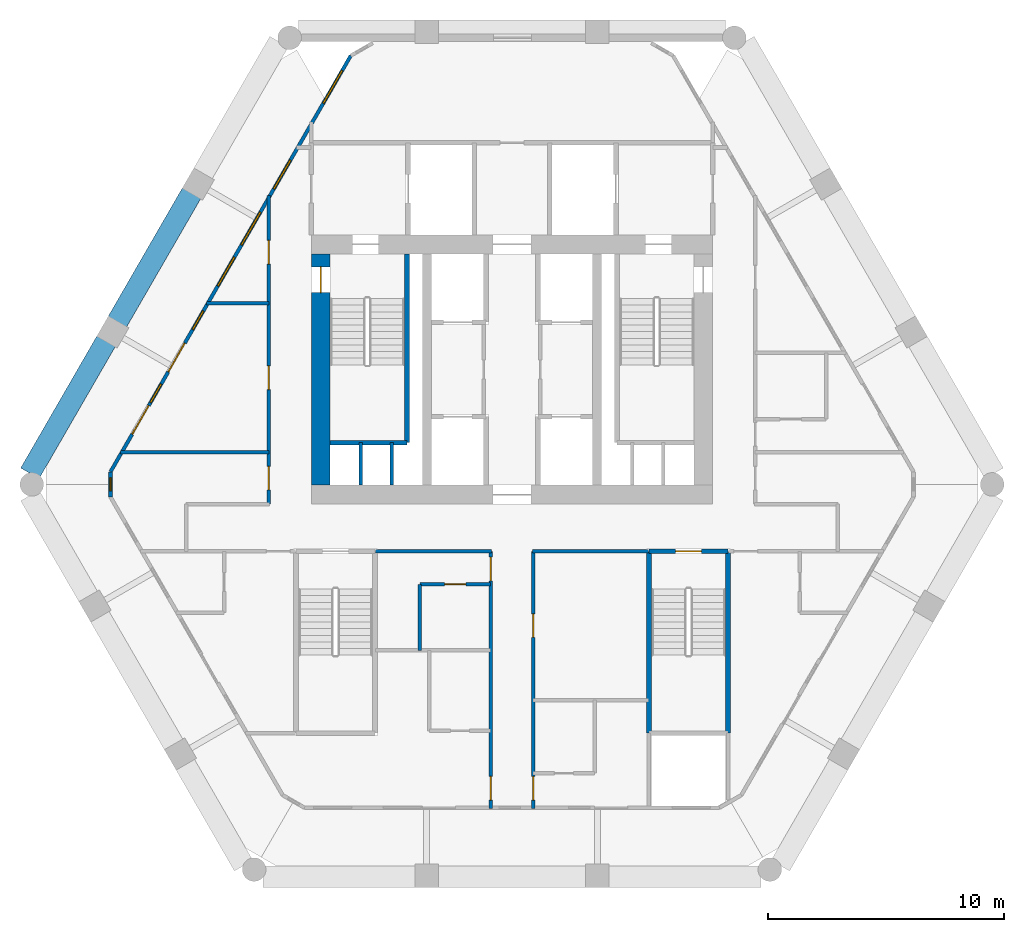
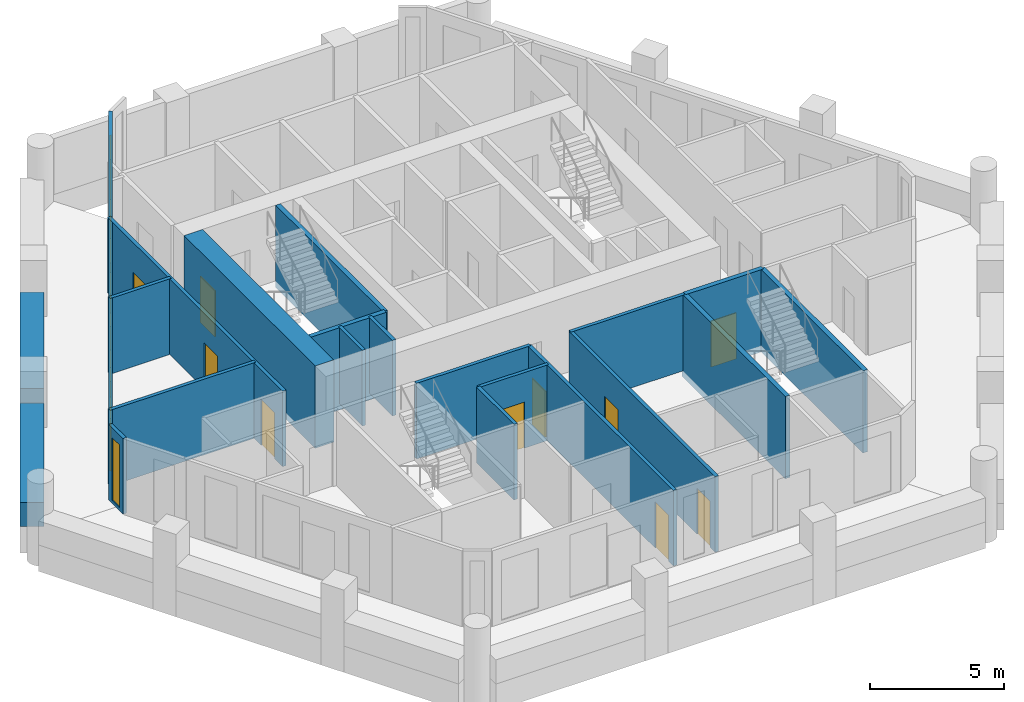
# One storey, part 3 of 7: 21 walls, 12 doors, 7 windows, 19 openings.
"""IFC4 building model written with IfcOpenShell, lengths in metres."""

import ifcopenshell
import ifcopenshell.guid

model = None  # the IFC model being written
_history = None  # IfcOwnerHistory: only IFC2X3 demands one
_inside = {}  # id of a spatial element -> (the spatial element, [elements in it])
_under = {}  # id of a project, library or spatial element -> (it, [spatial elements below it])
_declared = {}  # id of a project -> (the project, [libraries it declares])
_typed = {}  # id of a type object -> (the type object, [elements of that type])
_made_of = {}  # id of a material, layer set ... -> (it, [elements and type objects made of it])


def new_model(schema):
    """Start an empty IFC model of exactly this schema.

    Asked for "IFC4X3", IfcOpenShell would pick the latest addendum, in which some entities
    have other attributes; the version numbers below select the first issue.
    IFC2X3 requires an IfcOwnerHistory on every rooted entity: one is made here for all.
    """
    global model, _history
    if schema == "IFC4X3":
        model = ifcopenshell.file(schema_version=(4, 3, 0, 0))
    else:
        model = ifcopenshell.file(schema=schema)
    _inside.clear()
    _under.clear()
    _declared.clear()
    _typed.clear()
    _made_of.clear()
    _history = None
    if model.schema == "IFC2X3":
        org = make("IfcOrganization", Name="unknown")
        user = make(
            "IfcPersonAndOrganization",
            ThePerson=make("IfcPerson", FamilyName="unknown"),
            TheOrganization=org,
        )
        app = make(
            "IfcApplication",
            ApplicationDeveloper=org,
            Version="unknown",
            ApplicationFullName="unknown",
            ApplicationIdentifier="unknown",
        )
        _history = make(
            "IfcOwnerHistory",
            OwningUser=user,
            OwningApplication=app,
            ChangeAction="ADDED",
            CreationDate=0,
        )
    return model


def make(cls, **values):
    """One entity of the class cls with the attributes given. An attribute that is None is left unset."""
    return model.create_entity(
        cls, **{name: value for name, value in values.items() if value is not None}
    )


def rooted(cls, **values):
    """An entity with a GlobalId (a new one), such as an element, a storey or a relation."""
    return make(cls, GlobalId=ifcopenshell.guid.new(), OwnerHistory=_history, **values)


def si_unit(unit_type, name, prefix=None):
    """IfcSIUnit, for example si_unit("LENGTHUNIT", "METRE", prefix="MILLI")."""
    return make("IfcSIUnit", UnitType=unit_type, Prefix=prefix, Name=name)


def assignment(units):
    """IfcUnitAssignment: the units of a project."""
    return None if units is None else make("IfcUnitAssignment", Units=units)


def point(xyz):
    """IfcCartesianPoint."""
    return None if xyz is None else make("IfcCartesianPoint", Coordinates=xyz)


def direction(xyz):
    """IfcDirection."""
    return None if xyz is None else make("IfcDirection", DirectionRatios=xyz)


def frame(location, z_axis=None, x_axis=None):
    """IfcAxis2Placement3D, a coordinate frame: its origin and axes. An axis left out is left unset."""
    return make(
        "IfcAxis2Placement3D",
        Location=point(location),
        Axis=direction(z_axis),
        RefDirection=direction(x_axis),
    )


def frame_2d(location, x_axis=None):
    """IfcAxis2Placement2D, a coordinate frame in the plane: its origin and x axis."""
    return make(
        "IfcAxis2Placement2D", Location=point(location), RefDirection=direction(x_axis)
    )


def origin():
    """The frame at (0, 0, 0) with its axes left unset."""
    return frame((0.0, 0.0, 0.0))


def place(relative_to, where):
    """IfcLocalPlacement: puts the frame where relative to a parent placement (None: the world)."""
    return make(
        "IfcLocalPlacement", PlacementRelTo=relative_to, RelativePlacement=where
    )


def context(
    kind, dimensions, precision=None, world=None, true_north=None, identifier=None
):
    """IfcGeometricRepresentationContext, for example the 3D "Model" context."""
    return make(
        "IfcGeometricRepresentationContext",
        ContextIdentifier=identifier,
        ContextType=kind,
        CoordinateSpaceDimension=dimensions,
        Precision=precision,
        WorldCoordinateSystem=world,
        TrueNorth=true_north,
    )


def subcontext(parent, identifier, kind, view, scale=None):
    """IfcGeometricRepresentationSubContext, for example "Body" below "Model"."""
    return make(
        "IfcGeometricRepresentationSubContext",
        ContextIdentifier=identifier,
        ContextType=kind,
        ParentContext=parent,
        TargetScale=scale,
        TargetView=view,
    )


def project(units=None, contexts=None):
    """IfcProject with its units and contexts."""
    return rooted(
        "IfcProject",
        Name="project",
        RepresentationContexts=contexts,
        UnitsInContext=assignment(units),
    )


def spatial(cls, under=None, at=None, **own):
    """A site, building, storey or space (cls), placed at a placement, below another one or the project."""
    s = rooted(cls, ObjectPlacement=at, **own)
    if under is not None:
        _under.setdefault(under.id(), (under, []))[1].append(s)
    return s


def profile(cls, at=None, kind="AREA", **sizes):
    """A parametric profile (cls). Its sizes go by their IFC names, for example OverallWidth=200.0."""
    return make(cls, ProfileType=kind, Position=at, **sizes)


def rectangle(**sizes):
    """IfcRectangleProfileDef."""
    return profile("IfcRectangleProfileDef", **sizes)


def extrude(swept, where, along, depth):
    """IfcExtrudedAreaSolid: the profile swept, set in the frame where, extruded along a direction by depth."""
    return make(
        "IfcExtrudedAreaSolid",
        SweptArea=swept,
        Position=where,
        ExtrudedDirection=direction(along),
        Depth=depth,
    )


def shape(context_of_items, identifier, shape_type, items):
    """IfcShapeRepresentation: the items that make up one representation, for example the "Body"."""
    return make(
        "IfcShapeRepresentation",
        ContextOfItems=context_of_items,
        RepresentationIdentifier=identifier,
        RepresentationType=shape_type,
        Items=items,
    )


def material(Name=None, Category=None):
    """IfcMaterial."""
    return make("IfcMaterial", Name=Name, Category=Category)


def layer(
    of_material, thickness, ventilated=None, Name=None, Category=None, Priority=None
):
    """IfcMaterialLayer: one layer of a wall or slab, of a material (None: an air gap)."""
    return make(
        "IfcMaterialLayer",
        Material=of_material,
        LayerThickness=thickness,
        IsVentilated=ventilated,
        Name=Name,
        Category=Category,
        Priority=Priority,
    )


def layer_set(layers, Name=None):
    """IfcMaterialLayerSet."""
    return make("IfcMaterialLayerSet", MaterialLayers=layers, LayerSetName=Name)


def made_of(thing, what):
    """Note that an element or type object is made of a material, layer set ...; save() writes the relation."""
    if what is not None:
        _made_of.setdefault(what.id(), (what, []))[1].append(thing)
    return thing


def type_object(cls, material=None, **own):
    """A type object (cls), such as IfcWallType, which elements share."""
    return made_of(rooted(cls, **own), material)


def element(
    cls,
    number,
    at=None,
    inside=None,
    cuts=None,
    type_object=None,
    material=None,
    context=None,
    identifier="Body",
    shape_type=None,
    held_by="IfcProductDefinitionShape",
    body=None,
    shapes=None,
    **own,
):
    """One element of the class cls, such as IfcWall. Its Tag is "e" and its number.

    at: its placement. inside: the storey or other place that contains it. cuts: it is an
    opening in that element (IfcRelVoidsElement). A single representation is given by context,
    identifier, shape_type and body (its items); several are given by shapes. held_by: the class
    of the entity that holds the representations. save() writes the other relations.
    """
    e = rooted(cls, Tag="e%d" % number, ObjectPlacement=at, **own)
    if body is not None:
        shapes = [shape(context, identifier, shape_type, body)]
    if shapes is not None:
        e.Representation = make(held_by, Representations=shapes)
    if inside is not None:
        _inside.setdefault(inside.id(), (inside, []))[1].append(e)
    if cuts is not None:
        rooted(
            "IfcRelVoidsElement", RelatingBuildingElement=cuts, RelatedOpeningElement=e
        )
    if type_object is not None:
        _typed.setdefault(type_object.id(), (type_object, []))[1].append(e)
    return made_of(e, material)


def fill(opening, filler):
    """IfcRelFillsElement: the door or window that sits in an opening."""
    return rooted(
        "IfcRelFillsElement",
        RelatingOpeningElement=opening,
        RelatedBuildingElement=filler,
    )


def aggregate(whole, parts):
    """IfcRelAggregates: a whole, such as a stair, and the parts it consists of."""
    return rooted("IfcRelAggregates", RelatingObject=whole, RelatedObjects=parts)


def save(model, path):
    """Write the relations noted so far, then the file.

    IfcRelAggregates (storeys below a building ...), IfcRelContainedInSpatialStructure (elements
    in a storey), IfcRelDefinesByType, IfcRelAssociatesMaterial and IfcRelDeclares: one each for
    every whole, place, type object, material and project.
    """
    for whole, parts in _under.values():
        aggregate(whole, parts)
    for where, things in _inside.values():
        rooted(
            "IfcRelContainedInSpatialStructure",
            RelatedElements=things,
            RelatingStructure=where,
        )
    for kind, things in _typed.values():
        rooted("IfcRelDefinesByType", RelatedObjects=things, RelatingType=kind)
    for what, things in _made_of.values():
        rooted("IfcRelAssociatesMaterial", RelatedObjects=things, RelatingMaterial=what)
    for by, libraries in _declared.values():
        rooted("IfcRelDeclares", RelatingContext=by, RelatedDefinitions=libraries)
    model.write(path)


model = new_model("IFC4")

# Units and contexts
model_context = context("Model", 3, precision=1e-05, world=origin(), true_north=direction((0.0, 1.0)))
body_context = subcontext(model_context, "Body", "Model", "MODEL_VIEW")
ifc_project = project(units=[si_unit("LENGTHUNIT", "METRE"), si_unit("AREAUNIT", "SQUARE_METRE"), si_unit("VOLUMEUNIT", "CUBIC_METRE"), si_unit("PLANEANGLEUNIT", "RADIAN"), si_unit("MASSUNIT", "GRAM", prefix="KILO")], contexts=[model_context])

# Site, building, storey
site_placement = place(None, origin())
site = spatial("IfcSite", under=ifc_project, at=site_placement, CompositionType="ELEMENT")
building_placement = place(site_placement, origin())
building = spatial("IfcBuilding", under=site, at=building_placement, Name="Ostrander Bayou Hotel Tower", CompositionType="ELEMENT")
storey_placement = place(building_placement, frame((0.0, 0.0, 190.75)))
storey = spatial("IfcBuildingStorey", under=building, at=storey_placement, Name="L47", CompositionType="ELEMENT", Elevation=190.75)

# Wall, opening, door
ifc_material_1 = material(Name="Concrete f'c 60 MPa", Category="concrete")
ifc_layer_1 = layer(ifc_material_1, 0.800048828125)
ifc_layer_set_1 = layer_set([ifc_layer_1], Name="CW8 core spine wall 800 mm f'c 60 MPa")
wall_type_1 = type_object("IfcWallType", Name="CW8 core spine wall 800 mm f'c 60 MPa", PredefinedType="SHEAR", material=ifc_layer_set_1)
wall_1_placement = place(storey_placement, frame((-8.10009765625, -0.89990234375, -0.300048828125), z_axis=(0.0, 0.0, 1.0), x_axis=(0.0, 1.0, 0.0)))
wall_1 = element("IfcWall", 1, at=wall_1_placement, inside=storey, type_object=wall_type_1, Name="CW8 L47 W", PredefinedType="SHEAR", context=body_context, shape_type="SweptSolid", body=[
    extrude(rectangle(XDim=9.7998046875, YDim=0.800048828125, at=frame_2d((4.89990234375, 0.0))), origin(), (0.0, 0.0, 1.0), 3.75),
])
opening_1_placement = place(wall_1_placement, frame((8.14990234375, 0.0, 0.0)))
opening_1 = element("IfcOpeningElement", 2, at=opening_1_placement, cuts=wall_1, Name="Opening T47-008", PredefinedType="OPENING", context=body_context, shape_type="SweptSolid", body=[
    extrude(rectangle(XDim=1.10009765625, YDim=2.10009765625, at=frame_2d((0.550048828125, 1.050048828125))), frame((0.0, 0.39990234375, 0.0), z_axis=(0.0, -1.0, 0.0), x_axis=(1.0, 0.0, 0.0)), (0.0, 0.0, 1.0), 0.800048828125),
])
ifc_material_2 = material(Name="Timber door leaf", Category="wood")
door_type_1 = type_object("IfcDoorType", Name="D5 stair door 1100 x 2100 mm, 90 minute", OperationType="SINGLE_SWING_LEFT", PredefinedType="DOOR", material=ifc_material_2)
door_1_placement = place(opening_1_placement, origin())
door_1 = element("IfcDoor", 3, at=door_1_placement, inside=storey, type_object=door_type_1, Name="dr:L47:008", OperationType="SINGLE_SWING_RIGHT", OverallHeight=2.10009765625, OverallWidth=1.10009765625, PredefinedType="DOOR", context=body_context, shape_type="SweptSolid", body=[
    extrude(rectangle(XDim=1.10009765625, YDim=2.10009765625, at=frame_2d((0.550048828125, 1.050048828125))), frame((0.0, 0.02490234375, 0.0), z_axis=(0.0, -1.0, 0.0), x_axis=(1.0, 0.0, 0.0)), (0.0, 0.0, 1.0), 0.050048828125),
])
fill(opening_1, door_1)

# Wall, openings, doors, windows
ifc_material_3 = material(Name="Aluminium framed insulated wall", Category="aluminium")
ifc_layer_2 = layer(ifc_material_3, 0.14990234375)
ifc_layer_set_2 = layer_set([ifc_layer_2], Name="GW1 glass-line wall 150 mm")
wall_type_2 = type_object("IfcWallType", Name="GW1 glass-line wall 150 mm", PredefinedType="SOLIDWALL", material=ifc_layer_set_2)
wall_2_placement = place(storey_placement, frame((-6.825927734375, 17.29248046875, 0.0), z_axis=(0.0, 0.0, 1.0), x_axis=(-0.50000659594, -0.866021595583, 0.0)))
wall_2 = element("IfcWall", 4, at=wall_2_placement, inside=storey, type_object=wall_type_2, Name="GW1 L47 NW 1", PredefinedType="SOLIDWALL", context=body_context, shape_type="SweptSolid", body=[
    extrude(rectangle(XDim=20.354248046875, YDim=0.14990234375, at=frame_2d((10.17724609375, 0.0))), origin(), (0.0, 0.0, 1.0), 3.449951171875),
])
opening_2_placement = place(wall_2_placement, frame((5.120361328125, 0.0, 0.14990234375)))
opening_2 = element("IfcOpeningElement", 5, at=opening_2_placement, cuts=wall_2, Name="Opening W13", PredefinedType="OPENING", context=body_context, shape_type="SweptSolid", body=[
    extrude(rectangle(XDim=1.39990234375, YDim=2.85009765625, at=frame_2d((0.699951171875, 1.425048828125))), frame((0.0, 0.074951171875, 0.0), z_axis=(0.0, -1.0, 0.0), x_axis=(1.0, 0.0, 0.0)), (0.0, 0.0, 1.0), 0.14990234375),
])
opening_3_placement = place(wall_2_placement, frame((7.662841796875, 0.0, 0.14990234375)))
opening_3 = element("IfcOpeningElement", 6, at=opening_3_placement, cuts=wall_2, Name="Opening W3", PredefinedType="OPENING", context=body_context, shape_type="SweptSolid", body=[
    extrude(rectangle(XDim=1.60009765625, YDim=2.85009765625, at=frame_2d((0.800048828125, 1.425048828125))), frame((0.0, 0.074951171875, 0.0), z_axis=(0.0, -1.0, 0.0), x_axis=(1.0, 0.0, 0.0)), (0.0, 0.0, 1.0), 0.14990234375),
])
opening_4_placement = place(wall_2_placement, frame((9.86279296875, 0.0, 0.14990234375)))
opening_4 = element("IfcOpeningElement", 7, at=opening_4_placement, cuts=wall_2, Name="Opening W13", PredefinedType="OPENING", context=body_context, shape_type="SweptSolid", body=[
    extrude(rectangle(XDim=1.39990234375, YDim=2.85009765625, at=frame_2d((0.699951171875, 1.425048828125))), frame((0.0, 0.074951171875, 0.0), z_axis=(0.0, -1.0, 0.0), x_axis=(1.0, 0.0, 0.0)), (0.0, 0.0, 1.0), 0.14990234375),
])
opening_5_placement = place(wall_2_placement, frame((12.49169921875, 0.0, 0.14990234375)))
opening_5 = element("IfcOpeningElement", 8, at=opening_5_placement, cuts=wall_2, Name="Opening W17", PredefinedType="OPENING", context=body_context, shape_type="SweptSolid", body=[
    extrude(rectangle(XDim=0.89990234375, YDim=2.85009765625, at=frame_2d((0.449951171875, 1.425048828125))), frame((0.0, 0.074951171875, 0.0), z_axis=(0.0, -1.0, 0.0), x_axis=(1.0, 0.0, 0.0)), (0.0, 0.0, 1.0), 0.14990234375),
])
opening_6_placement = place(wall_2_placement, frame((14.062744140625, 0.0, 0.0)))
opening_6 = element("IfcOpeningElement", 9, at=opening_6_placement, cuts=wall_2, Name="Opening T47-800", PredefinedType="OPENING", context=body_context, shape_type="SweptSolid", body=[
    extrude(rectangle(XDim=1.39990234375, YDim=2.39990234375, at=frame_2d((0.699951171875, 1.199951171875))), frame((0.0, 0.074951171875, 0.0), z_axis=(0.0, -1.0, 0.0), x_axis=(1.0, 0.0, 0.0)), (0.0, 0.0, 1.0), 0.14990234375),
])
opening_7_placement = place(wall_2_placement, frame((16.062744140625, 0.0, 0.14990234375)))
opening_7 = element("IfcOpeningElement", 10, at=opening_7_placement, cuts=wall_2, Name="Opening W17", PredefinedType="OPENING", context=body_context, shape_type="SweptSolid", body=[
    extrude(rectangle(XDim=0.89990234375, YDim=2.85009765625, at=frame_2d((0.449951171875, 1.425048828125))), frame((0.0, 0.074951171875, 0.0), z_axis=(0.0, -1.0, 0.0), x_axis=(1.0, 0.0, 0.0)), (0.0, 0.0, 1.0), 0.14990234375),
])
opening_8_placement = place(wall_2_placement, frame((17.1162109375, 0.0, 0.0)))
opening_8 = element("IfcOpeningElement", 11, at=opening_8_placement, cuts=wall_2, Name="Opening T47-801", PredefinedType="OPENING", context=body_context, shape_type="SweptSolid", body=[
    extrude(rectangle(XDim=1.39990234375, YDim=2.39990234375, at=frame_2d((0.699951171875, 1.199951171875))), frame((0.0, 0.074951171875, 0.0), z_axis=(0.0, -1.0, 0.0), x_axis=(1.0, 0.0, 0.0)), (0.0, 0.0, 1.0), 0.14990234375),
])
opening_9_placement = place(wall_2_placement, frame((0.735107421875, 0.0, 0.14990234375)))
opening_9 = element("IfcOpeningElement", 12, at=opening_9_placement, cuts=wall_2, Name="Opening W3", PredefinedType="OPENING", context=body_context, shape_type="SweptSolid", body=[
    extrude(rectangle(XDim=1.60009765625, YDim=2.72998046875, at=frame_2d((0.800048828125, 1.364990234375))), frame((0.0, 0.074951171875, 0.0), z_axis=(0.0, -1.0, 0.0), x_axis=(1.0, 0.0, 0.0)), (0.0, 0.0, 1.0), 0.14990234375),
])
ifc_material_4 = material(Name="Aluminium and clear glass", Category="aluminium")
door_type_2 = type_object("IfcDoorType", Name="SD3 sliding glass door 1400 mm, zone 3", OperationType="SLIDING_TO_LEFT", PredefinedType="DOOR", material=ifc_material_4)
door_2_placement = place(opening_6_placement, origin())
door_2 = element("IfcDoor", 13, at=door_2_placement, inside=storey, type_object=door_type_2, Name="SD3 L47 NW 3", OperationType="SLIDING_TO_LEFT", OverallHeight=2.39990234375, OverallWidth=1.39990234375, PredefinedType="DOOR", context=body_context, shape_type="SweptSolid", body=[
    extrude(rectangle(XDim=1.39990234375, YDim=2.39990234375, at=frame_2d((0.699951171875, 1.199951171875))), frame((0.0, 0.02490234375, 0.0), z_axis=(0.0, -1.0, 0.0), x_axis=(1.0, 0.0, 0.0)), (0.0, 0.0, 1.0), 0.050048828125),
])
fill(opening_6, door_2)
door_3_placement = place(opening_8_placement, origin())
door_3 = element("IfcDoor", 14, at=door_3_placement, inside=storey, type_object=door_type_2, Name="SD3 L47 NW 4", OperationType="SLIDING_TO_RIGHT", OverallHeight=2.39990234375, OverallWidth=1.39990234375, PredefinedType="DOOR", context=body_context, shape_type="SweptSolid", body=[
    extrude(rectangle(XDim=1.39990234375, YDim=2.39990234375, at=frame_2d((0.699951171875, 1.199951171875))), frame((0.0, 0.02490234375, 0.0), z_axis=(0.0, -1.0, 0.0), x_axis=(1.0, 0.0, 0.0)), (0.0, 0.0, 1.0), 0.050048828125),
])
fill(opening_8, door_3)
ifc_material_5 = material(Name="Aluminium and clear glass", Category="aluminium")
window_type_1 = type_object("IfcWindowType", Name="W13 fixed window 1400 mm, bath bay, zone 3", PartitioningType="SINGLE_PANEL", PredefinedType="WINDOW", material=ifc_material_5)
window_1_placement = place(opening_2_placement, origin())
window_1 = element("IfcWindow", 15, at=window_1_placement, inside=storey, type_object=window_type_1, Name="W13 L47 NW 1", OverallHeight=2.85009765625, OverallWidth=1.39990234375, PartitioningType="SINGLE_PANEL", PredefinedType="WINDOW", context=body_context, shape_type="SweptSolid", body=[
    extrude(rectangle(XDim=1.39990234375, YDim=2.85009765625, at=frame_2d((0.699951171875, 1.425048828125))), frame((0.0, 0.030029296875, 0.0), z_axis=(0.0, -1.0, 0.0), x_axis=(1.0, 0.0, 0.0)), (0.0, 0.0, 1.0), 0.06005859375),
])
fill(opening_2, window_1)
window_2_placement = place(opening_4_placement, origin())
window_2 = element("IfcWindow", 16, at=window_2_placement, inside=storey, type_object=window_type_1, Name="W13 L47 NW 2", OverallHeight=2.85009765625, OverallWidth=1.39990234375, PartitioningType="SINGLE_PANEL", PredefinedType="WINDOW", context=body_context, shape_type="SweptSolid", body=[
    extrude(rectangle(XDim=1.39990234375, YDim=2.85009765625, at=frame_2d((0.699951171875, 1.425048828125))), frame((0.0, 0.030029296875, 0.0), z_axis=(0.0, -1.0, 0.0), x_axis=(1.0, 0.0, 0.0)), (0.0, 0.0, 1.0), 0.06005859375),
])
fill(opening_4, window_2)
ifc_material_6 = material(Name="Aluminium and clear glass", Category="aluminium")
window_type_2 = type_object("IfcWindowType", Name="W17 window 900 mm, zone 3", PartitioningType="SINGLE_PANEL", PredefinedType="WINDOW", material=ifc_material_6)
window_3_placement = place(opening_5_placement, origin())
window_3 = element("IfcWindow", 17, at=window_3_placement, inside=storey, type_object=window_type_2, Name="W17 L47 NW 3", OverallHeight=2.85009765625, OverallWidth=0.89990234375, PartitioningType="SINGLE_PANEL", PredefinedType="WINDOW", context=body_context, shape_type="SweptSolid", body=[
    extrude(rectangle(XDim=0.89990234375, YDim=2.85009765625, at=frame_2d((0.449951171875, 1.425048828125))), frame((0.0, 0.030029296875, 0.0), z_axis=(0.0, -1.0, 0.0), x_axis=(1.0, 0.0, 0.0)), (0.0, 0.0, 1.0), 0.06005859375),
])
fill(opening_5, window_3)
window_4_placement = place(opening_7_placement, origin())
window_4 = element("IfcWindow", 18, at=window_4_placement, inside=storey, type_object=window_type_2, Name="W17 L47 NW 4", OverallHeight=2.85009765625, OverallWidth=0.89990234375, PartitioningType="SINGLE_PANEL", PredefinedType="WINDOW", context=body_context, shape_type="SweptSolid", body=[
    extrude(rectangle(XDim=0.89990234375, YDim=2.85009765625, at=frame_2d((0.449951171875, 1.425048828125))), frame((0.0, 0.030029296875, 0.0), z_axis=(0.0, -1.0, 0.0), x_axis=(1.0, 0.0, 0.0)), (0.0, 0.0, 1.0), 0.06005859375),
])
fill(opening_7, window_4)
ifc_material_7 = material(Name="Aluminium and clear glass", Category="aluminium")
window_type_3 = type_object("IfcWindowType", Name="W3 fixed window 1600 mm, zone 3", PartitioningType="SINGLE_PANEL", PredefinedType="WINDOW", material=ifc_material_7)
window_5_placement = place(opening_3_placement, origin())
window_5 = element("IfcWindow", 19, at=window_5_placement, inside=storey, type_object=window_type_3, Name="W3 L47 NW 2", OverallHeight=2.85009765625, OverallWidth=1.60009765625, PartitioningType="SINGLE_PANEL", PredefinedType="WINDOW", context=body_context, shape_type="SweptSolid", body=[
    extrude(rectangle(XDim=1.60009765625, YDim=2.85009765625, at=frame_2d((0.800048828125, 1.425048828125))), frame((0.0, 0.030029296875, 0.0), z_axis=(0.0, -1.0, 0.0), x_axis=(1.0, 0.0, 0.0)), (0.0, 0.0, 1.0), 0.06005859375),
])
fill(opening_3, window_5)
window_6_placement = place(opening_9_placement, origin())
window_6 = element("IfcWindow", 20, at=window_6_placement, inside=storey, type_object=window_type_3, Name="W3 L47 NW E11", OverallHeight=2.72998046875, OverallWidth=1.60009765625, PartitioningType="SINGLE_PANEL", PredefinedType="WINDOW", context=body_context, shape_type="SweptSolid", body=[
    extrude(rectangle(XDim=1.60009765625, YDim=2.72998046875, at=frame_2d((0.800048828125, 1.364990234375))), frame((0.0, 0.030029296875, 0.0), z_axis=(0.0, -1.0, 0.0), x_axis=(1.0, 0.0, 0.0)), (0.0, 0.0, 1.0), 0.06005859375),
])
fill(opening_9, window_6)

# Wall, opening, window
wall_3_placement = place(storey_placement, frame((-17.003173828125, -0.334716796875, 0.0), z_axis=(0.0, 0.0, 1.0), x_axis=(0.0, -1.0, 0.0)))
wall_3 = element("IfcWall", 21, at=wall_3_placement, inside=storey, type_object=wall_type_2, Name="GW1 L47 corner 2", PredefinedType="SOLIDWALL", context=body_context, shape_type="SweptSolid", body=[
    extrude(rectangle(XDim=1.065185546875, YDim=0.14990234375, at=frame_2d((0.53271484375, 0.0))), origin(), (0.0, 0.0, 1.0), 3.449951171875),
])
opening_10_placement = place(wall_3_placement, frame((0.257568359375, 0.0, 0.14990234375)))
opening_10 = element("IfcOpeningElement", 22, at=opening_10_placement, cuts=wall_3, Name="Opening W19", PredefinedType="OPENING", context=body_context, shape_type="SweptSolid", body=[
    extrude(rectangle(XDim=0.550048828125, YDim=2.85009765625, at=frame_2d((0.27490234375, 1.425048828125))), frame((0.0, 0.074951171875, 0.0), z_axis=(0.0, -1.0, 0.0), x_axis=(1.0, 0.0, 0.0)), (0.0, 0.0, 1.0), 0.14990234375),
])
ifc_material_8 = material(Name="Aluminium and clear glass", Category="aluminium")
window_type_4 = type_object("IfcWindowType", Name="W19 corner window 550 mm", PartitioningType="SINGLE_PANEL", PredefinedType="WINDOW", material=ifc_material_8)
window_7_placement = place(opening_10_placement, origin())
window_7 = element("IfcWindow", 23, at=window_7_placement, inside=storey, type_object=window_type_4, Name="W19 L47 corner 2", OverallHeight=2.85009765625, OverallWidth=0.550048828125, PartitioningType="SINGLE_PANEL", PredefinedType="WINDOW", context=body_context, shape_type="SweptSolid", body=[
    extrude(rectangle(XDim=0.550048828125, YDim=2.85009765625, at=frame_2d((0.27490234375, 1.425048828125))), frame((0.0, 0.030029296875, 0.0), z_axis=(0.0, -1.0, 0.0), x_axis=(1.0, 0.0, 0.0)), (0.0, 0.0, 1.0), 0.06005859375),
])
fill(opening_10, window_7)

# Walls
ifc_material_9 = material(Name="Concrete f'c 40 MPa", Category="concrete")
ifc_layer_3 = layer(ifc_material_9, 0.89990234375)
ifc_layer_set_3 = layer_set([ifc_layer_3], Name="PA1 stone-faced parapet 900 mm")
wall_type_3 = type_object("IfcWallType", Name="PA1 stone-faced parapet 900 mm", PredefinedType="PARAPET", material=ifc_layer_set_3)
wall_4_placement = place(storey_placement, frame((-13.56640625, 11.467529296875, 0.0), z_axis=(0.0, 0.0, 1.0), x_axis=(-0.500013351051, -0.866017695414, 0.0)))
element("IfcWall", 24, at=wall_4_placement, inside=storey, type_object=wall_type_3, Name="PA1 L47 NW-2", PredefinedType="PARAPET", context=body_context, shape_type="SweptSolid", body=[
    extrude(rectangle(XDim=6.296142578125, YDim=0.89990234375, at=frame_2d((3.14794921875, 0.0))), origin(), (0.0, 0.0, 1.0), 1.10009765625),
])
wall_5_placement = place(storey_placement, frame((-17.1845703125, 5.200927734375, 0.0), z_axis=(0.0, 0.0, 1.0), x_axis=(-0.499977443261, -0.866038426532, 0.0)))
element("IfcWall", 25, at=wall_5_placement, inside=storey, type_object=wall_type_3, Name="PA1 L47 NW-3", PredefinedType="PARAPET", context=body_context, shape_type="SweptSolid", body=[
    extrude(rectangle(XDim=6.464599609375, YDim=0.89990234375, at=frame_2d((3.232421875, 0.0))), origin(), (0.0, 0.0, 1.0), 1.10009765625),
])
ifc_material_10 = material(Name="Gypsum board partition", Category="finish")
ifc_layer_4 = layer(ifc_material_10, 0.14990234375)
ifc_layer_set_4 = layer_set([ifc_layer_4], Name="PT7 riser wall 150 mm, 2 hour")
wall_type_4 = type_object("IfcWallType", Name="PT7 riser wall 150 mm, 2 hour", PredefinedType="PARTITIONING", material=ifc_layer_set_4)
for number, where, z_axis, x_axis, name in (
    (26, (-6.39990234375, -0.89990234375, 0.0), (0.0, 0.0, 1.0), (0.0, 1.0, 0.0), "cs:L47:011"),
    (27, (-5.10009765625, -0.89990234375, 0.0), (0.0, 0.0, 1.0), (0.0, 1.0, 0.0), "cs:L47:012"),
):
    element("IfcWall", number, at=place(storey_placement, frame(where, z_axis=z_axis, x_axis=x_axis)), inside=storey, type_object=wall_type_4, Name=name, PredefinedType="PARTITIONING", context=body_context, shape_type="SweptSolid", body=[
        extrude(rectangle(XDim=1.7998046875, YDim=0.14990234375, at=frame_2d((0.89990234375, 0.0))), origin(), (0.0, 0.0, 1.0), 3.449951171875),
    ])

# Wall, opening, door
ifc_material_11 = material(Name="Gypsum board partition", Category="finish")
ifc_layer_5 = layer(ifc_material_11, 0.14990234375)
ifc_layer_set_5 = layer_set([ifc_layer_5], Name="PT8 service band wall 150 mm, 1 hour")
wall_type_5 = type_object("IfcWallType", Name="PT8 service band wall 150 mm, 1 hour", PredefinedType="PARTITIONING", material=ifc_layer_set_5)
wall_6_placement = place(storey_placement, frame((-3.89990234375, -5.10009765625, 0.0), z_axis=(0.0, 0.0, 1.0), x_axis=(1.0, 0.0, 0.0)))
wall_6 = element("IfcWall", 28, at=wall_6_placement, inside=storey, type_object=wall_type_5, Name="gw:L47:008", PredefinedType="PARTITIONING", context=body_context, shape_type="SweptSolid", body=[
    extrude(rectangle(XDim=3.0, YDim=0.14990234375, at=frame_2d((1.5, 0.0))), origin(), (0.0, 0.0, 1.0), 3.449951171875),
])
opening_11_placement = place(wall_6_placement, frame((1.050048828125, 0.0, 0.0)))
opening_11 = element("IfcOpeningElement", 29, at=opening_11_placement, cuts=wall_6, Name="Opening T47-403", PredefinedType="OPENING", context=body_context, shape_type="SweptSolid", body=[
    extrude(rectangle(XDim=0.89990234375, YDim=2.10009765625, at=frame_2d((0.449951171875, 1.050048828125))), frame((0.0, 0.074951171875, 0.0), z_axis=(0.0, -1.0, 0.0), x_axis=(1.0, 0.0, 0.0)), (0.0, 0.0, 1.0), 0.14990234375),
])
ifc_material_12 = material(Name="Timber door leaf", Category="wood")
door_type_3 = type_object("IfcDoorType", Name="D14 bathroom door 900 x 2100 mm", OperationType="SINGLE_SWING_LEFT", PredefinedType="DOOR", material=ifc_material_12)
door_4_placement = place(opening_11_placement, origin())
door_4 = element("IfcDoor", 30, at=door_4_placement, inside=storey, type_object=door_type_3, Name="dr:L47:403", OperationType="SINGLE_SWING_RIGHT", OverallHeight=2.10009765625, OverallWidth=0.89990234375, PredefinedType="DOOR", context=body_context, shape_type="SweptSolid", body=[
    extrude(rectangle(XDim=0.89990234375, YDim=2.10009765625, at=frame_2d((0.449951171875, 1.050048828125))), frame((0.0, 0.02490234375, 0.0), z_axis=(0.0, -1.0, 0.0), x_axis=(1.0, 0.0, 0.0)), (0.0, 0.0, 1.0), 0.050048828125),
])
fill(opening_11, door_4)

# Walls
for number, where, z_axis, x_axis, name in (
    (31, (-5.7900390625, -3.699951171875, 0.0), (0.0, 0.0, 1.0), (1.0, 0.0, 0.0), "gw:L47:010"),
    (32, (0.860107421875, -3.699951171875, 0.0), (0.0, 0.0, 1.0), (1.0, 0.0, 0.0), "gw:L47:011"),
):
    element("IfcWall", number, at=place(storey_placement, frame(where, z_axis=z_axis, x_axis=x_axis)), inside=storey, type_object=wall_type_5, Name=name, PredefinedType="PARTITIONING", context=body_context, shape_type="SweptSolid", body=[
        extrude(rectangle(XDim=4.929931640625, YDim=0.14990234375, at=frame_2d((2.46484375, 0.0))), origin(), (0.0, 0.0, 1.0), 3.449951171875),
    ])
wall_7_placement = place(storey_placement, frame((-16.572998046875, 0.5, 0.0), z_axis=(0.0, 0.0, 1.0), x_axis=(1.0, 0.0, 0.0)))
element("IfcWall", 33, at=wall_7_placement, inside=storey, type_object=wall_type_5, Name="gw:L47:015", PredefinedType="PARTITIONING", context=body_context, shape_type="SweptSolid", body=[
    extrude(rectangle(XDim=6.27294921875, YDim=0.14990234375, at=frame_2d((3.136474609375, 0.0))), origin(), (0.0, 0.0, 1.0), 3.449951171875),
])
wall_8_placement = place(storey_placement, frame((-12.93603515625, 6.800048828125, 0.0), z_axis=(0.0, 0.0, 1.0), x_axis=(1.0, 0.0, 0.0)))
element("IfcWall", 34, at=wall_8_placement, inside=storey, type_object=wall_type_5, Name="gw:L47:019", PredefinedType="PARTITIONING", context=body_context, shape_type="SweptSolid", body=[
    extrude(rectangle(XDim=2.635986328125, YDim=0.14990234375, at=frame_2d((1.31787109375, 0.0))), origin(), (0.0, 0.0, 1.0), 3.449951171875),
])

# Wall, openings, doors
wall_9_placement = place(storey_placement, frame((0.89990234375, -14.60302734375, 0.0), z_axis=(0.0, 0.0, 1.0), x_axis=(0.0, 1.0, 0.0)))
wall_9 = element("IfcWall", 35, at=wall_9_placement, inside=storey, type_object=wall_type_5, Name="gw:L47:030", PredefinedType="PARTITIONING", context=body_context, shape_type="SweptSolid", body=[
    extrude(rectangle(XDim=10.903076171875, YDim=0.14990234375, at=frame_2d((5.45166015625, 0.0))), origin(), (0.0, 0.0, 1.0), 3.449951171875),
])
opening_12_placement = place(wall_9_placement, frame((7.2529296875, 0.0, 0.0)))
opening_12 = element("IfcOpeningElement", 36, at=opening_12_placement, cuts=wall_9, Name="Opening T47-406", PredefinedType="OPENING", context=body_context, shape_type="SweptSolid", body=[
    extrude(rectangle(XDim=1.0, YDim=2.10009765625, at=frame_2d((0.5, 1.050048828125))), frame((0.0, 0.074951171875, 0.0), z_axis=(0.0, -1.0, 0.0), x_axis=(1.0, 0.0, 0.0)), (0.0, 0.0, 1.0), 0.14990234375),
])
opening_13_placement = place(wall_9_placement, frame((0.367919921875, 0.0, 0.0)))
opening_13 = element("IfcOpeningElement", 37, at=opening_13_placement, cuts=wall_9, Name="Opening T47-407", PredefinedType="OPENING", context=body_context, shape_type="SweptSolid", body=[
    extrude(rectangle(XDim=1.0, YDim=2.10009765625, at=frame_2d((0.5, 1.050048828125))), frame((0.0, 0.074951171875, 0.0), z_axis=(0.0, -1.0, 0.0), x_axis=(1.0, 0.0, 0.0)), (0.0, 0.0, 1.0), 0.14990234375),
])
ifc_material_13 = material(Name="Timber door leaf", Category="wood")
door_type_4 = type_object("IfcDoorType", Name="D1 guest room door 1000 x 2100 mm, 30 minute", OperationType="SINGLE_SWING_LEFT", PredefinedType="DOOR", material=ifc_material_13)
door_5_placement = place(opening_13_placement, origin())
door_5 = element("IfcDoor", 38, at=door_5_placement, inside=storey, type_object=door_type_4, Name="dr:L47:407", OperationType="SINGLE_SWING_LEFT", OverallHeight=2.10009765625, OverallWidth=1.0, PredefinedType="DOOR", context=body_context, shape_type="SweptSolid", body=[
    extrude(rectangle(XDim=1.0, YDim=2.10009765625, at=frame_2d((0.5, 1.050048828125))), frame((0.0, 0.02490234375, 0.0), z_axis=(0.0, -1.0, 0.0), x_axis=(1.0, 0.0, 0.0)), (0.0, 0.0, 1.0), 0.050048828125),
])
fill(opening_13, door_5)
ifc_material_14 = material(Name="Timber door leaf", Category="wood")
door_type_5 = type_object("IfcDoorType", Name="D15 room door 1000 x 2100 mm", OperationType="SINGLE_SWING_LEFT", PredefinedType="DOOR", material=ifc_material_14)
door_6_placement = place(opening_12_placement, origin())
door_6 = element("IfcDoor", 39, at=door_6_placement, inside=storey, type_object=door_type_5, Name="dr:L47:406", OperationType="SINGLE_SWING_LEFT", OverallHeight=2.10009765625, OverallWidth=1.0, PredefinedType="DOOR", context=body_context, shape_type="SweptSolid", body=[
    extrude(rectangle(XDim=1.0, YDim=2.10009765625, at=frame_2d((0.5, 1.050048828125))), frame((0.0, 0.02490234375, 0.0), z_axis=(0.0, -1.0, 0.0), x_axis=(1.0, 0.0, 0.0)), (0.0, 0.0, 1.0), 0.050048828125),
])
fill(opening_12, door_6)

wall_10_placement = place(storey_placement, frame((-0.89990234375, -14.60302734375, 0.0), z_axis=(0.0, 0.0, 1.0), x_axis=(0.0, 1.0, 0.0)))
wall_10 = element("IfcWall", 40, at=wall_10_placement, inside=storey, type_object=wall_type_5, Name="gw:L47:031", PredefinedType="PARTITIONING", context=body_context, shape_type="SweptSolid", body=[
    extrude(rectangle(XDim=10.903076171875, YDim=0.14990234375, at=frame_2d((5.45166015625, 0.0))), origin(), (0.0, 0.0, 1.0), 3.449951171875),
])
opening_14_placement = place(wall_10_placement, frame((9.653076171875, 0.0, 0.0)))
opening_14 = element("IfcOpeningElement", 41, at=opening_14_placement, cuts=wall_10, Name="Opening T47-402", PredefinedType="OPENING", context=body_context, shape_type="SweptSolid", body=[
    extrude(rectangle(XDim=1.0, YDim=2.10009765625, at=frame_2d((0.5, 1.050048828125))), frame((0.0, 0.074951171875, 0.0), z_axis=(0.0, -1.0, 0.0), x_axis=(1.0, 0.0, 0.0)), (0.0, 0.0, 1.0), 0.14990234375),
])
opening_15_placement = place(wall_10_placement, frame((0.367919921875, 0.0, 0.0)))
opening_15 = element("IfcOpeningElement", 42, at=opening_15_placement, cuts=wall_10, Name="Opening T47-404", PredefinedType="OPENING", context=body_context, shape_type="SweptSolid", body=[
    extrude(rectangle(XDim=1.0, YDim=2.10009765625, at=frame_2d((0.5, 1.050048828125))), frame((0.0, 0.074951171875, 0.0), z_axis=(0.0, -1.0, 0.0), x_axis=(1.0, 0.0, 0.0)), (0.0, 0.0, 1.0), 0.14990234375),
])
door_7_placement = place(opening_14_placement, origin())
door_7 = element("IfcDoor", 43, at=door_7_placement, inside=storey, type_object=door_type_4, Name="dr:L47:402", OperationType="SINGLE_SWING_RIGHT", OverallHeight=2.10009765625, OverallWidth=1.0, PredefinedType="DOOR", context=body_context, shape_type="SweptSolid", body=[
    extrude(rectangle(XDim=1.0, YDim=2.10009765625, at=frame_2d((0.5, 1.050048828125))), frame((0.0, 0.02490234375, 0.0), z_axis=(0.0, -1.0, 0.0), x_axis=(1.0, 0.0, 0.0)), (0.0, 0.0, 1.0), 0.050048828125),
])
fill(opening_14, door_7)
door_8_placement = place(opening_15_placement, origin())
door_8 = element("IfcDoor", 44, at=door_8_placement, inside=storey, type_object=door_type_4, Name="dr:L47:404", OperationType="SINGLE_SWING_LEFT", OverallHeight=2.10009765625, OverallWidth=1.0, PredefinedType="DOOR", context=body_context, shape_type="SweptSolid", body=[
    extrude(rectangle(XDim=1.0, YDim=2.10009765625, at=frame_2d((0.5, 1.050048828125))), frame((0.0, 0.02490234375, 0.0), z_axis=(0.0, -1.0, 0.0), x_axis=(1.0, 0.0, 0.0)), (0.0, 0.0, 1.0), 0.050048828125),
])
fill(opening_15, door_8)

# Wall
wall_11_placement = place(storey_placement, frame((-3.89990234375, -7.89990234375, 0.0), z_axis=(0.0, 0.0, 1.0), x_axis=(0.0, 1.0, 0.0)))
element("IfcWall", 45, at=wall_11_placement, inside=storey, type_object=wall_type_5, Name="gw:L47:033", PredefinedType="PARTITIONING", context=body_context, shape_type="SweptSolid", body=[
    extrude(rectangle(XDim=2.7998046875, YDim=0.14990234375, at=frame_2d((1.39990234375, 0.0))), origin(), (0.0, 0.0, 1.0), 3.449951171875),
])

# Wall, openings, doors
wall_12_placement = place(storey_placement, frame((-10.300048828125, -1.699951171875, 0.0), z_axis=(0.0, 0.0, 1.0), x_axis=(0.0, 1.0, 0.0)))
wall_12 = element("IfcWall", 46, at=wall_12_placement, inside=storey, type_object=wall_type_5, Name="gw:L47:035", PredefinedType="PARTITIONING", context=body_context, shape_type="SweptSolid", body=[
    extrude(rectangle(XDim=13.06494140625, YDim=0.14990234375, at=frame_2d((6.532470703125, 0.0))), origin(), (0.0, 0.0, 1.0), 3.449951171875),
])
opening_16_placement = place(wall_12_placement, frame((0.60009765625, 0.0, 0.0)))
opening_16 = element("IfcOpeningElement", 47, at=opening_16_placement, cuts=wall_12, Name="Opening T47-411", PredefinedType="OPENING", context=body_context, shape_type="SweptSolid", body=[
    extrude(rectangle(XDim=1.0, YDim=2.10009765625, at=frame_2d((0.5, 1.050048828125))), frame((0.0, 0.074951171875, 0.0), z_axis=(0.0, -1.0, 0.0), x_axis=(1.0, 0.0, 0.0)), (0.0, 0.0, 1.0), 0.14990234375),
])
opening_17_placement = place(wall_12_placement, frame((4.85009765625, 0.0, 0.0)))
opening_17 = element("IfcOpeningElement", 48, at=opening_17_placement, cuts=wall_12, Name="Opening T47-412", PredefinedType="OPENING", context=body_context, shape_type="SweptSolid", body=[
    extrude(rectangle(XDim=1.0, YDim=2.10009765625, at=frame_2d((0.5, 1.050048828125))), frame((0.0, 0.074951171875, 0.0), z_axis=(0.0, -1.0, 0.0), x_axis=(1.0, 0.0, 0.0)), (0.0, 0.0, 1.0), 0.14990234375),
])
opening_18_placement = place(wall_12_placement, frame((10.162109375, 0.0, 0.0)))
opening_18 = element("IfcOpeningElement", 49, at=opening_18_placement, cuts=wall_12, Name="Opening T47-413", PredefinedType="OPENING", context=body_context, shape_type="SweptSolid", body=[
    extrude(rectangle(XDim=1.0, YDim=2.10009765625, at=frame_2d((0.5, 1.050048828125))), frame((0.0, 0.074951171875, 0.0), z_axis=(0.0, -1.0, 0.0), x_axis=(1.0, 0.0, 0.0)), (0.0, 0.0, 1.0), 0.14990234375),
])
door_9_placement = place(opening_16_placement, origin())
door_9 = element("IfcDoor", 50, at=door_9_placement, inside=storey, type_object=door_type_5, Name="dr:L47:411", OperationType="SINGLE_SWING_RIGHT", OverallHeight=2.10009765625, OverallWidth=1.0, PredefinedType="DOOR", context=body_context, shape_type="SweptSolid", body=[
    extrude(rectangle(XDim=1.0, YDim=2.10009765625, at=frame_2d((0.5, 1.050048828125))), frame((0.0, 0.02490234375, 0.0), z_axis=(0.0, -1.0, 0.0), x_axis=(1.0, 0.0, 0.0)), (0.0, 0.0, 1.0), 0.050048828125),
])
fill(opening_16, door_9)
door_10_placement = place(opening_17_placement, origin())
door_10 = element("IfcDoor", 51, at=door_10_placement, inside=storey, type_object=door_type_5, Name="dr:L47:412", OperationType="SINGLE_SWING_LEFT", OverallHeight=2.10009765625, OverallWidth=1.0, PredefinedType="DOOR", context=body_context, shape_type="SweptSolid", body=[
    extrude(rectangle(XDim=1.0, YDim=2.10009765625, at=frame_2d((0.5, 1.050048828125))), frame((0.0, 0.02490234375, 0.0), z_axis=(0.0, -1.0, 0.0), x_axis=(1.0, 0.0, 0.0)), (0.0, 0.0, 1.0), 0.050048828125),
])
fill(opening_17, door_10)
ifc_material_15 = material(Name="Timber door leaf", Category="wood")
door_type_6 = type_object("IfcDoorType", Name="D9 service door 1000 x 2100 mm, 30 minute", OperationType="SINGLE_SWING_LEFT", PredefinedType="DOOR", material=ifc_material_15)
door_11_placement = place(opening_18_placement, origin())
door_11 = element("IfcDoor", 52, at=door_11_placement, inside=storey, type_object=door_type_6, Name="dr:L47:413", OperationType="SINGLE_SWING_LEFT", OverallHeight=2.10009765625, OverallWidth=1.0, PredefinedType="DOOR", context=body_context, shape_type="SweptSolid", body=[
    extrude(rectangle(XDim=1.0, YDim=2.10009765625, at=frame_2d((0.5, 1.050048828125))), frame((0.0, 0.02490234375, 0.0), z_axis=(0.0, -1.0, 0.0), x_axis=(1.0, 0.0, 0.0)), (0.0, 0.0, 1.0), 0.050048828125),
])
fill(opening_18, door_11)

# Walls
ifc_material_16 = material(Name="Concrete f'c 45 MPa", Category="concrete")
ifc_layer_6 = layer(ifc_material_16, 0.199951171875)
ifc_layer_set_6 = layer_set([ifc_layer_6], Name="SW5 stair enclosure wall 200 mm f'c 45 MPa")
wall_type_6 = type_object("IfcWallType", Name="SW5 stair enclosure wall 200 mm f'c 45 MPa", PredefinedType="SOLIDWALL", material=ifc_layer_set_6)
wall_13_placement = place(storey_placement, frame((-4.449951171875, 0.89990234375, -0.300048828125), z_axis=(0.0, 0.0, 1.0), x_axis=(0.0, 1.0, 0.0)))
element("IfcWall", 53, at=wall_13_placement, inside=storey, type_object=wall_type_6, Name="cs:L47:009", PredefinedType="SOLIDWALL", context=body_context, shape_type="SweptSolid", body=[
    extrude(rectangle(XDim=8.0, YDim=0.199951171875, at=frame_2d((4.0, 0.0))), origin(), (0.0, 0.0, 1.0), 3.75),
])
wall_14_placement = place(storey_placement, frame((-7.699951171875, 0.89990234375, -0.300048828125), z_axis=(0.0, 0.0, 1.0), x_axis=(1.0, 0.0, 0.0)))
element("IfcWall", 54, at=wall_14_placement, inside=storey, type_object=wall_type_6, Name="cs:L47:010", PredefinedType="SOLIDWALL", context=body_context, shape_type="SweptSolid", body=[
    extrude(rectangle(XDim=3.25, YDim=0.199951171875, at=frame_2d((1.625, 0.0))), origin(), (0.0, 0.0, 1.0), 3.75),
])

# Wall, opening, door
wall_15_placement = place(storey_placement, frame((5.800048828125, -3.699951171875, -0.300048828125), z_axis=(0.0, 0.0, 1.0), x_axis=(1.0, 0.0, 0.0)))
wall_15 = element("IfcWall", 55, at=wall_15_placement, inside=storey, type_object=wall_type_6, Name="cs:L47:017", PredefinedType="SOLIDWALL", context=body_context, shape_type="SweptSolid", body=[
    extrude(rectangle(XDim=3.349853515625, YDim=0.199951171875, at=frame_2d((1.6748046875, 0.0))), origin(), (0.0, 0.0, 1.0), 3.75),
])
opening_19_placement = place(wall_15_placement, frame((1.125, 0.0, 0.0)))
opening_19 = element("IfcOpeningElement", 56, at=opening_19_placement, cuts=wall_15, Name="Opening T47-011", PredefinedType="OPENING", context=body_context, shape_type="SweptSolid", body=[
    extrude(rectangle(XDim=1.10009765625, YDim=2.10009765625, at=frame_2d((0.550048828125, 1.050048828125))), frame((0.0, 0.10009765625, 0.0), z_axis=(0.0, -1.0, 0.0), x_axis=(1.0, 0.0, 0.0)), (0.0, 0.0, 1.0), 0.199951171875),
])
door_12_placement = place(opening_19_placement, origin())
door_12 = element("IfcDoor", 57, at=door_12_placement, inside=storey, type_object=door_type_1, Name="dr:L47:011", OperationType="SINGLE_SWING_LEFT", OverallHeight=2.10009765625, OverallWidth=1.10009765625, PredefinedType="DOOR", context=body_context, shape_type="SweptSolid", body=[
    extrude(rectangle(XDim=1.10009765625, YDim=2.10009765625, at=frame_2d((0.550048828125, 1.050048828125))), frame((0.0, 0.02490234375, 0.0), z_axis=(0.0, -1.0, 0.0), x_axis=(1.0, 0.0, 0.0)), (0.0, 0.0, 1.0), 0.050048828125),
])
fill(opening_19, door_12)

# Walls
for number, where, z_axis, x_axis, name in (
    (58, (5.800048828125, -3.699951171875, -0.300048828125), (0.0, 0.0, 1.0), (0.0, -1.0, 0.0), "cs:L47:018"),
    (59, (9.14990234375, -3.699951171875, -0.300048828125), (0.0, 0.0, 1.0), (0.0, -1.0, 0.0), "cs:L47:019"),
):
    element("IfcWall", number, at=place(storey_placement, frame(where, z_axis=z_axis, x_axis=x_axis)), inside=storey, type_object=wall_type_6, Name=name, PredefinedType="SOLIDWALL", context=body_context, shape_type="SweptSolid", body=[
        extrude(rectangle(XDim=7.699951171875, YDim=0.199951171875, at=frame_2d((3.85009765625, 0.0))), origin(), (0.0, 0.0, 1.0), 3.75),
    ])

save(model, "model.ifc")
